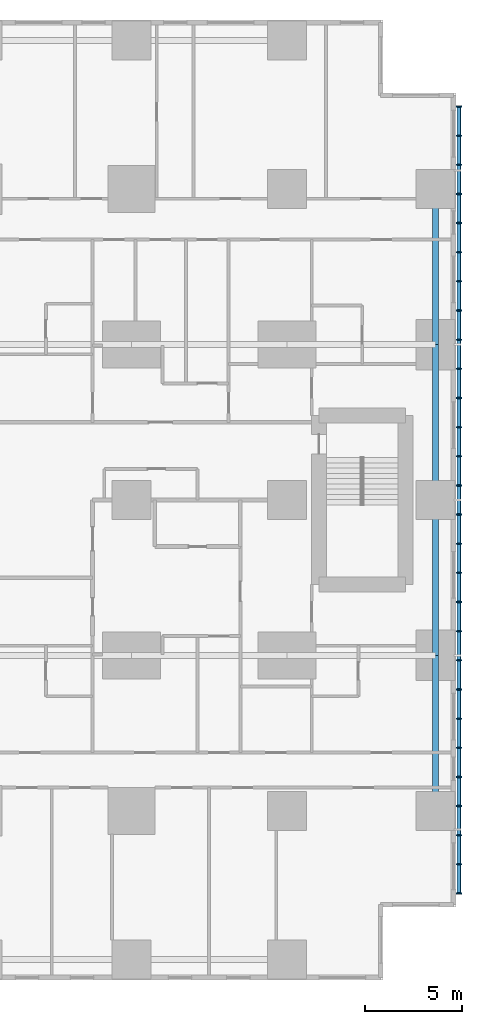
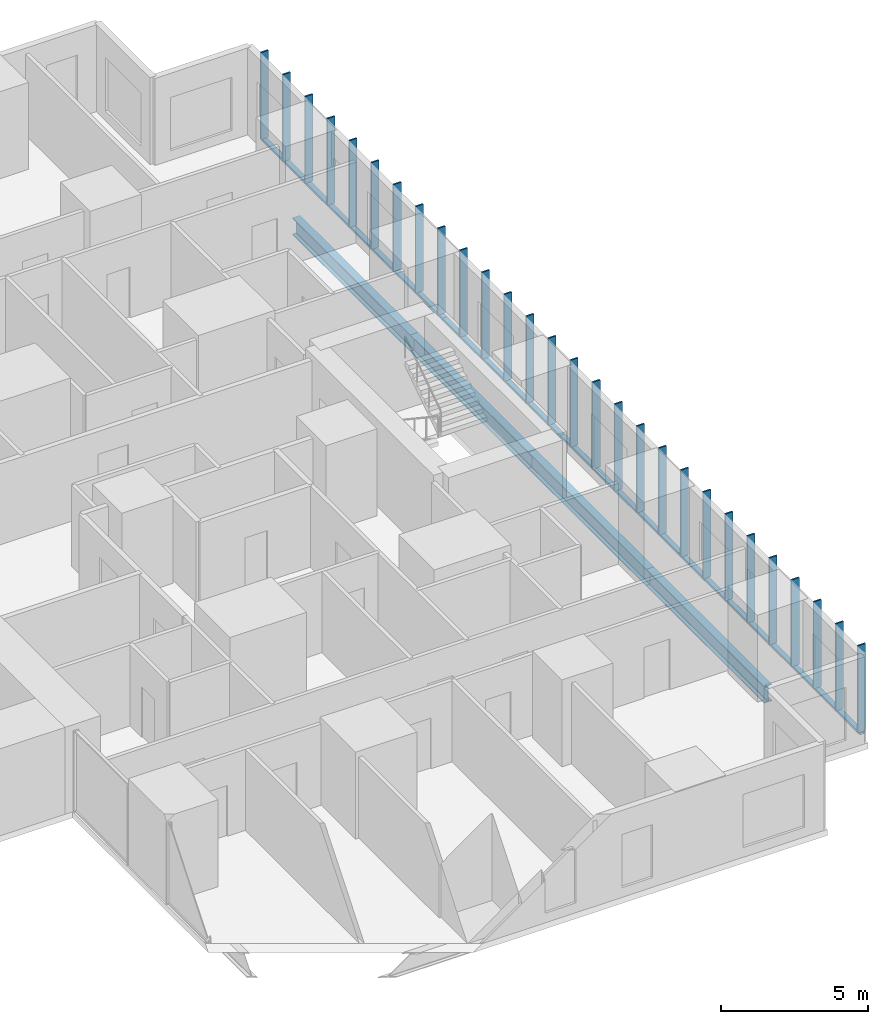
# One storey, part 6 of 20: 32 members, 4 beams.
"""IFC4 building model written with IfcOpenShell, lengths in metres."""

from ifc_helpers import new_model, si_unit, direction, frame, origin, origin_2d, place, context, subcontext, project, spatial, rectangle, hollow_rectangle, i_section, extrude, material, material_profile, profile_set, type_object, element, save


model = new_model("IFC4")

# Units and contexts
model_context = context("Model", 3, precision=1e-05, world=origin(), true_north=direction((0.0, 1.0)))
body_context = subcontext(model_context, "Body", "Model", "MODEL_VIEW")
ifc_project = project(units=[si_unit("LENGTHUNIT", "METRE"), si_unit("AREAUNIT", "SQUARE_METRE"), si_unit("VOLUMEUNIT", "CUBIC_METRE"), si_unit("PLANEANGLEUNIT", "RADIAN"), si_unit("MASSUNIT", "GRAM", prefix="KILO")], contexts=[model_context])

# Site, building, storey
site_placement = place(None, origin())
site = spatial("IfcSite", under=ifc_project, at=site_placement, CompositionType="ELEMENT")
building_placement = place(site_placement, origin())
building = spatial("IfcBuilding", under=site, at=building_placement, Name="Cleftline Residences", CompositionType="ELEMENT")
storey_placement = place(building_placement, frame((0.0, 0.0, 121.39990234375)))
storey = spatial("IfcBuildingStorey", under=building, at=storey_placement, Name="L31", CompositionType="ELEMENT", Elevation=121.39990234375)

# Members
ifc_material_1 = material(Name="Steel S355, hot-dip galvanised", Category="steel")
ifc_material_profile_1 = material_profile(ifc_material_1, hollow_rectangle(XDim=0.10009765625, YDim=0.199951171875, WallThickness=0.008056640625, InnerFilletRadius=0.008056640625, OuterFilletRadius=0.011962890625, at=origin_2d()))
ifc_profile_set_1 = profile_set([ifc_material_profile_1], Name="Steel S355, hot-dip galvanised")
member_type_1 = type_object("IfcMemberType", Name="BAGUETTE CARRIER RHS 200X100X8", PredefinedType="USERDEFINED", material=ifc_profile_set_1)
member_1_placement = place(storey_placement, frame((66.85009765625, 3.699951171875, -0.0498046875), z_axis=(0.0, 1.0, 0.0), x_axis=(0.0, 0.0, 1.0)))
element("IfcMember", 1, at=member_1_placement, inside=storey, type_object=member_type_1, Name="Baguette carrier", ObjectType="BAGUETTE CARRIER", PredefinedType="USERDEFINED", context=body_context, shape_type="SweptSolid", body=[
    extrude(hollow_rectangle(XDim=0.10009765625, YDim=0.199951171875, WallThickness=0.008056640625, InnerFilletRadius=0.008056640625, OuterFilletRadius=0.011962890625, at=origin_2d()), origin(), (0.0, 0.0, 1.0), 12.300048828125),
])
for number, where, z_axis, x_axis, name in (
    (2, (66.85009765625, 16.0, -0.0498046875), (0.0, 1.0, 0.0), (0.0, 0.0, 1.0), "Baguette carrier"),
    (3, (66.85009765625, 24.0, -0.0498046875), (0.0, 1.0, 0.0), (0.0, 0.0, 1.0), "Baguette carrier"),
):
    element("IfcMember", number, at=place(storey_placement, frame(where, z_axis=z_axis, x_axis=x_axis)), inside=storey, type_object=member_type_1, Name=name, ObjectType="BAGUETTE CARRIER", PredefinedType="USERDEFINED", context=body_context, shape_type="SweptSolid", body=[
        extrude(hollow_rectangle(XDim=0.10009765625, YDim=0.199951171875, WallThickness=0.008056640625, InnerFilletRadius=0.008056640625, OuterFilletRadius=0.011962890625, at=origin_2d()), origin(), (0.0, 0.0, 1.0), 8.0),
    ])
member_2_placement = place(storey_placement, frame((66.85009765625, 32.0, -0.0498046875), z_axis=(0.0, 1.0, 0.0), x_axis=(0.0, 0.0, 1.0)))
element("IfcMember", 4, at=member_2_placement, inside=storey, type_object=member_type_1, Name="Baguette carrier", ObjectType="BAGUETTE CARRIER", PredefinedType="USERDEFINED", context=body_context, shape_type="SweptSolid", body=[
    extrude(hollow_rectangle(XDim=0.10009765625, YDim=0.199951171875, WallThickness=0.008056640625, InnerFilletRadius=0.008056640625, OuterFilletRadius=0.011962890625, at=origin_2d()), origin(), (0.0, 0.0, 1.0), 12.300048828125),
])

# Beams
ifc_material_2 = material(Name="Steel S355", Category="steel")
ifc_material_profile_2 = material_profile(ifc_material_2, i_section(OverallWidth=0.300048828125, OverallDepth=0.699951171875, WebThickness=0.01708984375, FlangeThickness=0.031982421875, FilletRadius=0.027099609375, at=origin_2d()))
ifc_profile_set_2 = profile_set([ifc_material_profile_2], Name="Steel S355")
beam_type = type_object("IfcBeamType", Name="BEAM HEB 700", PredefinedType="BEAM", material=ifc_profile_set_2)
for number, where, z_axis, x_axis, name in (
    (5, (65.64990234375, 8.0, -0.599853515625), (0.0, 1.0, 0.0), (-1.0, 0.0, 0.0), "Edge beam"),
    (6, (65.64990234375, 16.0, -0.599853515625), (0.0, 1.0, 0.0), (-1.0, 0.0, 0.0), "Edge beam"),
    (7, (65.64990234375, 24.0, -0.599853515625), (0.0, 1.0, 0.0), (-1.0, 0.0, 0.0), "Edge beam"),
    (8, (65.64990234375, 32.0, -0.599853515625), (0.0, 1.0, 0.0), (-1.0, 0.0, 0.0), "Edge beam"),
):
    element("IfcBeam", number, at=place(storey_placement, frame(where, z_axis=z_axis, x_axis=x_axis)), inside=storey, type_object=beam_type, Name=name, PredefinedType="BEAM", context=body_context, shape_type="SweptSolid", body=[
        extrude(i_section(OverallWidth=0.300048828125, OverallDepth=0.699951171875, WebThickness=0.01708984375, FlangeThickness=0.031982421875, FilletRadius=0.027099609375, at=origin_2d()), origin(), (0.0, 0.0, 1.0), 8.0),
    ])

# Members
ifc_material_3 = material(Name="Extruded terracotta", Category="masonry")
ifc_material_profile_3 = material_profile(ifc_material_3, rectangle(XDim=0.06005859375, YDim=0.300048828125, at=origin_2d()))
ifc_profile_set_3 = profile_set([ifc_material_profile_3], Name="Extruded terracotta")
member_type_2 = type_object("IfcMemberType", Name="TERRACOTTA BAGUETTE 60X300", PredefinedType="USERDEFINED", material=ifc_profile_set_3)
for number, where, z_axis, x_axis, name in (
    (9, (66.85009765625, 3.75, 0.0), (0.0, 0.0, 1.0), (0.0, 1.0, 0.0), "Terracotta baguette"),
    (10, (66.85009765625, 5.25, 0.0), (0.0, 0.0, 1.0), (0.0, 1.0, 0.0), "Terracotta baguette"),
    (11, (66.85009765625, 6.75, 0.0), (0.0, 0.0, 1.0), (0.0, 1.0, 0.0), "Terracotta baguette"),
    (12, (66.85009765625, 8.25, 0.0), (0.0, 0.0, 1.0), (0.0, 1.0, 0.0), "Terracotta baguette"),
    (13, (66.85009765625, 9.75, 0.0), (0.0, 0.0, 1.0), (0.0, 1.0, 0.0), "Terracotta baguette"),
    (14, (66.85009765625, 11.25, 0.0), (0.0, 0.0, 1.0), (0.0, 1.0, 0.0), "Terracotta baguette"),
    (15, (66.85009765625, 12.75, 0.0), (0.0, 0.0, 1.0), (0.0, 1.0, 0.0), "Terracotta baguette"),
    (16, (66.85009765625, 14.25, 0.0), (0.0, 0.0, 1.0), (0.0, 1.0, 0.0), "Terracotta baguette"),
    (17, (66.85009765625, 15.75, 0.0), (0.0, 0.0, 1.0), (0.0, 1.0, 0.0), "Terracotta baguette"),
    (18, (66.85009765625, 17.25, 0.0), (0.0, 0.0, 1.0), (0.0, 1.0, 0.0), "Terracotta baguette"),
    (19, (66.85009765625, 18.75, 0.0), (0.0, 0.0, 1.0), (0.0, 1.0, 0.0), "Terracotta baguette"),
    (20, (66.85009765625, 20.25, 0.0), (0.0, 0.0, 1.0), (0.0, 1.0, 0.0), "Terracotta baguette"),
    (21, (66.85009765625, 21.75, 0.0), (0.0, 0.0, 1.0), (0.0, 1.0, 0.0), "Terracotta baguette"),
    (22, (66.85009765625, 23.25, 0.0), (0.0, 0.0, 1.0), (0.0, 1.0, 0.0), "Terracotta baguette"),
    (23, (66.85009765625, 24.75, 0.0), (0.0, 0.0, 1.0), (0.0, 1.0, 0.0), "Terracotta baguette"),
    (24, (66.85009765625, 26.25, 0.0), (0.0, 0.0, 1.0), (0.0, 1.0, 0.0), "Terracotta baguette"),
    (25, (66.85009765625, 27.75, 0.0), (0.0, 0.0, 1.0), (0.0, 1.0, 0.0), "Terracotta baguette"),
    (26, (66.85009765625, 29.25, 0.0), (0.0, 0.0, 1.0), (0.0, 1.0, 0.0), "Terracotta baguette"),
    (27, (66.85009765625, 30.75, 0.0), (0.0, 0.0, 1.0), (0.0, 1.0, 0.0), "Terracotta baguette"),
    (28, (66.85009765625, 32.25, 0.0), (0.0, 0.0, 1.0), (0.0, 1.0, 0.0), "Terracotta baguette"),
    (29, (66.85009765625, 33.75, 0.0), (0.0, 0.0, 1.0), (0.0, 1.0, 0.0), "Terracotta baguette"),
    (30, (66.85009765625, 35.25, 0.0), (0.0, 0.0, 1.0), (0.0, 1.0, 0.0), "Terracotta baguette"),
    (31, (66.85009765625, 36.75, 0.0), (0.0, 0.0, 1.0), (0.0, 1.0, 0.0), "Terracotta baguette"),
    (32, (66.85009765625, 38.25, 0.0), (0.0, 0.0, 1.0), (0.0, 1.0, 0.0), "Terracotta baguette"),
    (33, (66.85009765625, 39.75, 0.0), (0.0, 0.0, 1.0), (0.0, 1.0, 0.0), "Terracotta baguette"),
    (34, (66.85009765625, 41.25, 0.0), (0.0, 0.0, 1.0), (0.0, 1.0, 0.0), "Terracotta baguette"),
    (35, (66.85009765625, 42.75, 0.0), (0.0, 0.0, 1.0), (0.0, 1.0, 0.0), "Terracotta baguette"),
    (36, (66.85009765625, 44.25, 0.0), (0.0, 0.0, 1.0), (0.0, 1.0, 0.0), "Terracotta baguette"),
):
    element("IfcMember", number, at=place(storey_placement, frame(where, z_axis=z_axis, x_axis=x_axis)), inside=storey, type_object=member_type_2, Name=name, ObjectType="BAGUETTE", PredefinedType="USERDEFINED", context=body_context, shape_type="SweptSolid", body=[
        extrude(rectangle(XDim=0.06005859375, YDim=0.300048828125, at=origin_2d()), origin(), (0.0, 0.0, 1.0), 3.60009765625),
    ])

save(model, "model.ifc")
